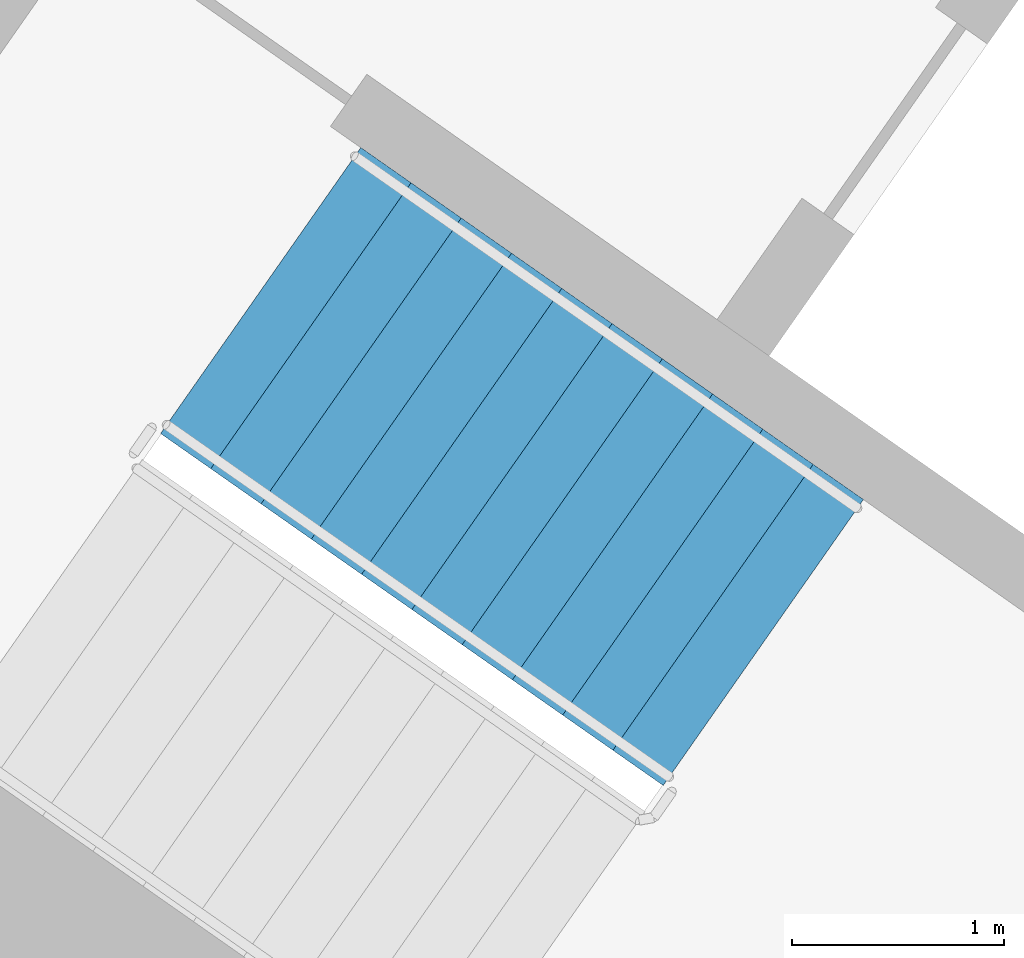
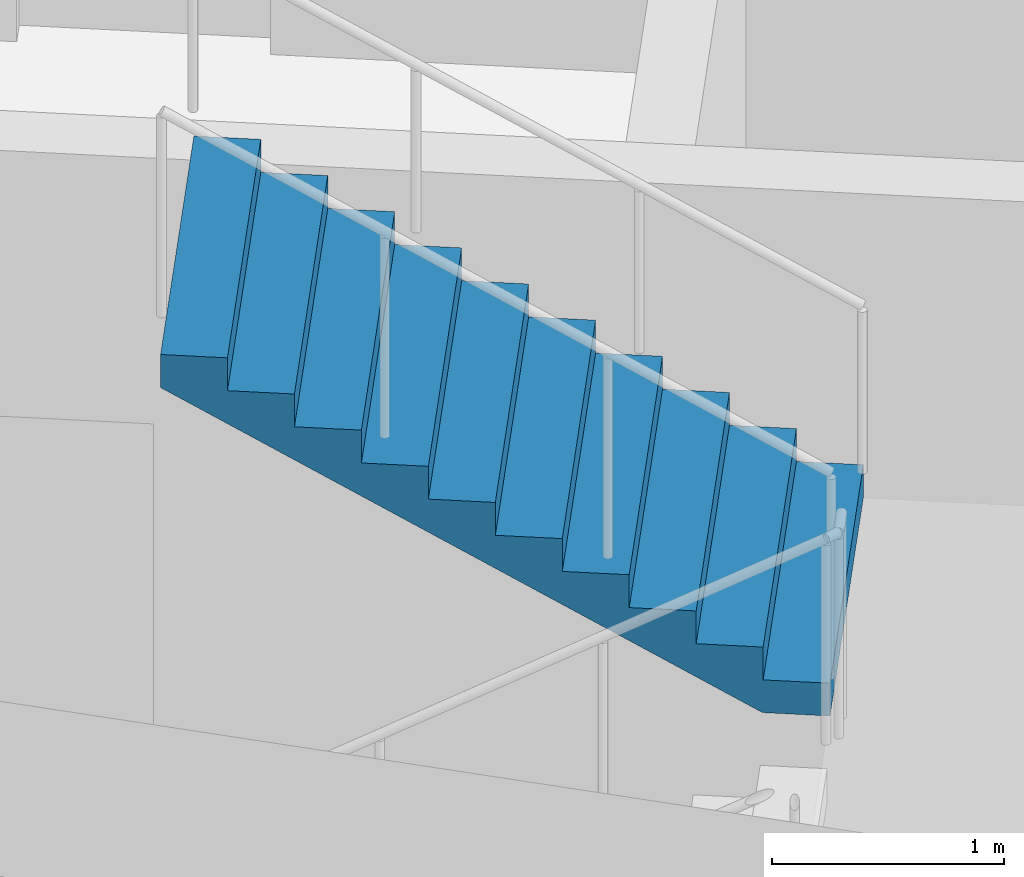
# One storey, part 11 of 29: 1 stair flight, 1 element without a shape of its own.
"""IFC4 building model written with IfcOpenShell, lengths in metres."""

from ifc_helpers import new_model, si_unit, direction, frame, origin, place, context, subcontext, project, spatial, faceted_brep, material, type_object, element, aggregate, save


model = new_model("IFC4")

# Units and contexts
model_context = context("Model", 3, precision=1e-05, world=origin(), true_north=direction((0.0, 1.0)))
body_context = subcontext(model_context, "Body", "Model", "MODEL_VIEW")
ifc_project = project(units=[si_unit("LENGTHUNIT", "METRE"), si_unit("AREAUNIT", "SQUARE_METRE"), si_unit("VOLUMEUNIT", "CUBIC_METRE"), si_unit("PLANEANGLEUNIT", "RADIAN"), si_unit("MASSUNIT", "GRAM", prefix="KILO")], contexts=[model_context])

# Site, building, storey
site_placement = place(None, origin())
site = spatial("IfcSite", under=ifc_project, at=site_placement, CompositionType="ELEMENT")
building_placement = place(site_placement, origin())
building = spatial("IfcBuilding", under=site, at=building_placement, Name="Qamariyya Broadcast Tower", CompositionType="ELEMENT")
storey_placement = place(building_placement, frame((0.0, 0.0, 44.300048828125)))
storey = spatial("IfcBuildingStorey", under=building, at=storey_placement, Name="L07", CompositionType="ELEMENT", Elevation=44.300048828125)

# Stair, stair flight
ifc_material = material(Name="Concrete C50/60", Category="concrete")
stair_type = type_object("IfcStairType", Name="Exit stair 22 risers of 173 mm", PredefinedType="HALF_TURN_STAIR", material=ifc_material)
stair_placement = place(storey_placement, origin())
stair = element("IfcStair", 1, at=stair_placement, inside=storey, type_object=stair_type, Name="L07 Stair W1", PredefinedType="HALF_TURN_STAIR")
stair_flight_type = type_object("IfcStairFlightType", Name="Exit stair flight 11 risers of 173 mm", PredefinedType="STRAIGHT", material=ifc_material)
stair_flight_placement = place(storey_placement, frame((-43.660888671875, -57.17138671875, 1.89990234375), z_axis=(0.0, 0.0, 1.0), x_axis=(-0.819152044289, 0.573576436351, 0.0)))
stair_flight = element("IfcStairFlight", 2, at=stair_flight_placement, type_object=stair_flight_type, Name="ST-W1 flight 2", NumberOfRisers=11, NumberOfTreads=10, PredefinedType="STRAIGHT", RiserHeight=0.172727273, TreadLength=0.29, context=body_context, shape_type="Brep", body=[
    faceted_brep([(0.0, 0.824951171875, 0.0), (0.0, 0.824951171875, 0.172607421875), (0.2900390625, 0.824951171875, 0.172607421875), (0.2900390625, 0.824951171875, 0.345458984375), (0.580078125, 0.824951171875, 0.345458984375), (0.580078125, 0.824951171875, 0.51806640625), (0.8701171875, 0.824951171875, 0.51806640625), (0.8701171875, 0.824951171875, 0.69091796875), (1.159912109375, 0.824951171875, 0.69091796875), (1.159912109375, 0.824951171875, 0.863525390625), (1.449951171875, 0.824951171875, 0.863525390625), (1.449951171875, 0.824951171875, 1.036376953125), (1.739990234375, 0.824951171875, 1.036376953125), (1.739990234375, 0.824951171875, 1.208984375), (2.030029296875, 0.824951171875, 1.208984375), (2.030029296875, 0.824951171875, 1.3818359375), (2.320068359375, 0.824951171875, 1.3818359375), (2.320068359375, 0.824951171875, 1.554443359375), (2.610107421875, 0.824951171875, 1.554443359375), (2.610107421875, 0.824951171875, 1.727294921875), (2.89990234375, 0.824951171875, 1.727294921875), (2.89990234375, 0.824951171875, 1.552734375), (0.29296875, 0.824951171875, 0.0), (0.29296875, -0.824951171875, 0.0), (2.89990234375, -0.824951171875, 1.552734375), (2.89990234375, -0.824951171875, 1.727294921875), (2.610107421875, -0.824951171875, 1.727294921875), (2.610107421875, -0.824951171875, 1.554443359375), (2.320068359375, -0.824951171875, 1.554443359375), (2.320068359375, -0.824951171875, 1.3818359375), (2.030029296875, -0.824951171875, 1.3818359375), (2.030029296875, -0.824951171875, 1.208984375), (1.739990234375, -0.824951171875, 1.208984375), (1.739990234375, -0.824951171875, 1.036376953125), (1.449951171875, -0.824951171875, 1.036376953125), (1.449951171875, -0.824951171875, 0.863525390625), (1.159912109375, -0.824951171875, 0.863525390625), (1.159912109375, -0.824951171875, 0.69091796875), (0.8701171875, -0.824951171875, 0.69091796875), (0.8701171875, -0.824951171875, 0.51806640625), (0.580078125, -0.824951171875, 0.51806640625), (0.580078125, -0.824951171875, 0.345458984375), (0.2900390625, -0.824951171875, 0.345458984375), (0.2900390625, -0.824951171875, 0.172607421875), (0.0, -0.824951171875, 0.172607421875), (0.0, -0.824951171875, 0.0), (0.0, 0.10009765625, 0.0), (0.0, 0.086669921875, 0.0), (0.0, 0.0732421875, 0.0), (0.0, 0.06005859375, 0.0), (0.0, 0.046630859375, 0.0), (0.0, 0.033447265625, 0.0), (0.0, 0.02001953125, 0.0), (0.0, 0.006591796875, 0.0), (0.0, -0.006591796875, 0.0), (0.0, -0.02001953125, 0.0), (0.0, -0.033447265625, 0.0), (0.0, -0.046630859375, 0.0), (0.0, -0.06005859375, 0.0), (0.0, -0.0732421875, 0.0), (0.0, -0.086669921875, 0.0), (0.0, -0.10009765625, 0.0), (0.0, -0.10009765625, 0.172607421875), (0.0, -0.086669921875, 0.172607421875), (0.0, -0.0732421875, 0.172607421875), (0.0, -0.06005859375, 0.172607421875), (0.0, -0.046630859375, 0.172607421875), (0.0, -0.033447265625, 0.172607421875), (0.0, -0.02001953125, 0.172607421875), (0.0, -0.006591796875, 0.172607421875), (0.0, 0.006591796875, 0.172607421875), (0.0, 0.02001953125, 0.172607421875), (0.0, 0.033447265625, 0.172607421875), (0.0, 0.046630859375, 0.172607421875), (0.0, 0.06005859375, 0.172607421875), (0.0, 0.0732421875, 0.172607421875), (0.0, 0.086669921875, 0.172607421875), (0.0, 0.10009765625, 0.172607421875), (0.2900390625, -0.10009765625, 0.172607421875), (0.2900390625, -0.086669921875, 0.172607421875), (0.2900390625, -0.0732421875, 0.172607421875), (0.2900390625, -0.06005859375, 0.172607421875), (0.2900390625, -0.046630859375, 0.172607421875), (0.2900390625, -0.033447265625, 0.172607421875), (0.2900390625, -0.02001953125, 0.172607421875), (0.2900390625, -0.006591796875, 0.172607421875), (0.2900390625, 0.006591796875, 0.172607421875), (0.2900390625, 0.02001953125, 0.172607421875), (0.2900390625, 0.033447265625, 0.172607421875), (0.2900390625, 0.046630859375, 0.172607421875), (0.2900390625, 0.06005859375, 0.172607421875), (0.2900390625, 0.0732421875, 0.172607421875), (0.2900390625, 0.086669921875, 0.172607421875), (0.2900390625, 0.10009765625, 0.172607421875), (0.2900390625, -0.10009765625, 0.345458984375), (0.2900390625, -0.086669921875, 0.345458984375), (0.2900390625, -0.0732421875, 0.345458984375), (0.2900390625, -0.06005859375, 0.345458984375), (0.2900390625, -0.046630859375, 0.345458984375), (0.2900390625, -0.033447265625, 0.345458984375), (0.2900390625, -0.02001953125, 0.345458984375), (0.2900390625, -0.006591796875, 0.345458984375), (0.2900390625, 0.006591796875, 0.345458984375), (0.2900390625, 0.02001953125, 0.345458984375), (0.2900390625, 0.033447265625, 0.345458984375), (0.2900390625, 0.046630859375, 0.345458984375), (0.2900390625, 0.06005859375, 0.345458984375), (0.2900390625, 0.0732421875, 0.345458984375), (0.2900390625, 0.086669921875, 0.345458984375), (0.2900390625, 0.10009765625, 0.345458984375), (0.580078125, -0.10009765625, 0.345458984375), (0.580078125, -0.086669921875, 0.345458984375), (0.580078125, -0.0732421875, 0.345458984375), (0.580078125, -0.06005859375, 0.345458984375), (0.580078125, -0.046630859375, 0.345458984375), (0.580078125, -0.033447265625, 0.345458984375), (0.580078125, -0.02001953125, 0.345458984375), (0.580078125, -0.006591796875, 0.345458984375), (0.580078125, 0.006591796875, 0.345458984375), (0.580078125, 0.02001953125, 0.345458984375), (0.580078125, 0.033447265625, 0.345458984375), (0.580078125, 0.046630859375, 0.345458984375), (0.580078125, 0.06005859375, 0.345458984375), (0.580078125, 0.0732421875, 0.345458984375), (0.580078125, 0.086669921875, 0.345458984375), (0.580078125, 0.10009765625, 0.345458984375), (0.580078125, -0.10009765625, 0.51806640625), (0.580078125, -0.086669921875, 0.51806640625), (0.580078125, -0.0732421875, 0.51806640625), (0.580078125, -0.06005859375, 0.51806640625), (0.580078125, -0.046630859375, 0.51806640625), (0.580078125, -0.033447265625, 0.51806640625), (0.580078125, -0.02001953125, 0.51806640625), (0.580078125, -0.006591796875, 0.51806640625), (0.580078125, 0.006591796875, 0.51806640625), (0.580078125, 0.02001953125, 0.51806640625), (0.580078125, 0.033447265625, 0.51806640625), (0.580078125, 0.046630859375, 0.51806640625), (0.580078125, 0.06005859375, 0.51806640625), (0.580078125, 0.0732421875, 0.51806640625), (0.580078125, 0.086669921875, 0.51806640625), (0.580078125, 0.10009765625, 0.51806640625), (0.8701171875, -0.10009765625, 0.51806640625), (0.8701171875, -0.086669921875, 0.51806640625), (0.8701171875, -0.0732421875, 0.51806640625), (0.8701171875, -0.06005859375, 0.51806640625), (0.8701171875, -0.046630859375, 0.51806640625), (0.8701171875, -0.033447265625, 0.51806640625), (0.8701171875, -0.02001953125, 0.51806640625), (0.8701171875, -0.006591796875, 0.51806640625), (0.8701171875, 0.006591796875, 0.51806640625), (0.8701171875, 0.02001953125, 0.51806640625), (0.8701171875, 0.033447265625, 0.51806640625), (0.8701171875, 0.046630859375, 0.51806640625), (0.8701171875, 0.06005859375, 0.51806640625), (0.8701171875, 0.0732421875, 0.51806640625), (0.8701171875, 0.086669921875, 0.51806640625), (0.8701171875, 0.10009765625, 0.51806640625), (0.8701171875, -0.10009765625, 0.69091796875), (0.8701171875, -0.086669921875, 0.69091796875), (0.8701171875, -0.0732421875, 0.69091796875), (0.8701171875, -0.06005859375, 0.69091796875), (0.8701171875, -0.046630859375, 0.69091796875), (0.8701171875, -0.033447265625, 0.69091796875), (0.8701171875, -0.02001953125, 0.69091796875), (0.8701171875, -0.006591796875, 0.69091796875), (0.8701171875, 0.006591796875, 0.69091796875), (0.8701171875, 0.02001953125, 0.69091796875), (0.8701171875, 0.033447265625, 0.69091796875), (0.8701171875, 0.046630859375, 0.69091796875), (0.8701171875, 0.06005859375, 0.69091796875), (0.8701171875, 0.0732421875, 0.69091796875), (0.8701171875, 0.086669921875, 0.69091796875), (0.8701171875, 0.10009765625, 0.69091796875), (1.159912109375, -0.10009765625, 0.69091796875), (1.159912109375, -0.086669921875, 0.69091796875), (1.159912109375, -0.0732421875, 0.69091796875), (1.159912109375, -0.06005859375, 0.69091796875), (1.159912109375, -0.046630859375, 0.69091796875), (1.159912109375, -0.033447265625, 0.69091796875), (1.159912109375, -0.02001953125, 0.69091796875), (1.159912109375, -0.006591796875, 0.69091796875), (1.159912109375, 0.006591796875, 0.69091796875), (1.159912109375, 0.02001953125, 0.69091796875), (1.159912109375, 0.033447265625, 0.69091796875), (1.159912109375, 0.046630859375, 0.69091796875), (1.159912109375, 0.06005859375, 0.69091796875), (1.159912109375, 0.0732421875, 0.69091796875), (1.159912109375, 0.086669921875, 0.69091796875), (1.159912109375, 0.10009765625, 0.69091796875), (1.159912109375, -0.10009765625, 0.863525390625), (1.159912109375, -0.086669921875, 0.863525390625), (1.159912109375, -0.0732421875, 0.863525390625), (1.159912109375, -0.06005859375, 0.863525390625), (1.159912109375, -0.046630859375, 0.863525390625), (1.159912109375, -0.033447265625, 0.863525390625), (1.159912109375, -0.02001953125, 0.863525390625), (1.159912109375, -0.006591796875, 0.863525390625), (1.159912109375, 0.006591796875, 0.863525390625), (1.159912109375, 0.02001953125, 0.863525390625), (1.159912109375, 0.033447265625, 0.863525390625), (1.159912109375, 0.046630859375, 0.863525390625), (1.159912109375, 0.06005859375, 0.863525390625), (1.159912109375, 0.0732421875, 0.863525390625), (1.159912109375, 0.086669921875, 0.863525390625), (1.159912109375, 0.10009765625, 0.863525390625), (1.449951171875, -0.10009765625, 0.863525390625), (1.449951171875, -0.086669921875, 0.863525390625), (1.449951171875, -0.0732421875, 0.863525390625), (1.449951171875, -0.06005859375, 0.863525390625), (1.449951171875, -0.046630859375, 0.863525390625), (1.449951171875, -0.033447265625, 0.863525390625), (1.449951171875, -0.02001953125, 0.863525390625), (1.449951171875, -0.006591796875, 0.863525390625), (1.449951171875, 0.006591796875, 0.863525390625), (1.449951171875, 0.02001953125, 0.863525390625), (1.449951171875, 0.033447265625, 0.863525390625), (1.449951171875, 0.046630859375, 0.863525390625), (1.449951171875, 0.06005859375, 0.863525390625), (1.449951171875, 0.0732421875, 0.863525390625), (1.449951171875, 0.086669921875, 0.863525390625), (1.449951171875, 0.10009765625, 0.863525390625), (1.449951171875, -0.10009765625, 1.036376953125), (1.449951171875, -0.086669921875, 1.036376953125), (1.449951171875, -0.0732421875, 1.036376953125), (1.449951171875, -0.06005859375, 1.036376953125), (1.449951171875, -0.046630859375, 1.036376953125), (1.449951171875, -0.033447265625, 1.036376953125), (1.449951171875, -0.02001953125, 1.036376953125), (1.449951171875, -0.006591796875, 1.036376953125), (1.449951171875, 0.006591796875, 1.036376953125), (1.449951171875, 0.02001953125, 1.036376953125), (1.449951171875, 0.033447265625, 1.036376953125), (1.449951171875, 0.046630859375, 1.036376953125), (1.449951171875, 0.06005859375, 1.036376953125), (1.449951171875, 0.0732421875, 1.036376953125), (1.449951171875, 0.086669921875, 1.036376953125), (1.449951171875, 0.10009765625, 1.036376953125), (1.739990234375, -0.10009765625, 1.036376953125), (1.739990234375, -0.086669921875, 1.036376953125), (1.739990234375, -0.0732421875, 1.036376953125), (1.739990234375, -0.06005859375, 1.036376953125), (1.739990234375, -0.046630859375, 1.036376953125), (1.739990234375, -0.033447265625, 1.036376953125), (1.739990234375, -0.02001953125, 1.036376953125), (1.739990234375, -0.006591796875, 1.036376953125), (1.739990234375, 0.006591796875, 1.036376953125), (1.739990234375, 0.02001953125, 1.036376953125), (1.739990234375, 0.033447265625, 1.036376953125), (1.739990234375, 0.046630859375, 1.036376953125), (1.739990234375, 0.06005859375, 1.036376953125), (1.739990234375, 0.0732421875, 1.036376953125), (1.739990234375, 0.086669921875, 1.036376953125), (1.739990234375, 0.10009765625, 1.036376953125), (1.739990234375, -0.10009765625, 1.208984375), (1.739990234375, -0.086669921875, 1.208984375), (1.739990234375, -0.0732421875, 1.208984375), (1.739990234375, -0.06005859375, 1.208984375), (1.739990234375, -0.046630859375, 1.208984375), (1.739990234375, -0.033447265625, 1.208984375), (1.739990234375, -0.02001953125, 1.208984375), (1.739990234375, -0.006591796875, 1.208984375), (1.739990234375, 0.006591796875, 1.208984375), (1.739990234375, 0.02001953125, 1.208984375), (1.739990234375, 0.033447265625, 1.208984375), (1.739990234375, 0.046630859375, 1.208984375), (1.739990234375, 0.06005859375, 1.208984375), (1.739990234375, 0.0732421875, 1.208984375), (1.739990234375, 0.086669921875, 1.208984375), (1.739990234375, 0.10009765625, 1.208984375), (2.030029296875, -0.10009765625, 1.208984375), (2.030029296875, -0.086669921875, 1.208984375), (2.030029296875, -0.0732421875, 1.208984375), (2.030029296875, -0.06005859375, 1.208984375), (2.030029296875, -0.046630859375, 1.208984375), (2.030029296875, -0.033447265625, 1.208984375), (2.030029296875, -0.02001953125, 1.208984375), (2.030029296875, -0.006591796875, 1.208984375), (2.030029296875, 0.006591796875, 1.208984375), (2.030029296875, 0.02001953125, 1.208984375), (2.030029296875, 0.033447265625, 1.208984375), (2.030029296875, 0.046630859375, 1.208984375), (2.030029296875, 0.06005859375, 1.208984375), (2.030029296875, 0.0732421875, 1.208984375), (2.030029296875, 0.086669921875, 1.208984375), (2.030029296875, 0.10009765625, 1.208984375), (2.030029296875, -0.10009765625, 1.3818359375), (2.030029296875, -0.086669921875, 1.3818359375), (2.030029296875, -0.0732421875, 1.3818359375), (2.030029296875, -0.06005859375, 1.3818359375), (2.030029296875, -0.046630859375, 1.3818359375), (2.030029296875, -0.033447265625, 1.3818359375), (2.030029296875, -0.02001953125, 1.3818359375), (2.030029296875, -0.006591796875, 1.3818359375), (2.030029296875, 0.006591796875, 1.3818359375), (2.030029296875, 0.02001953125, 1.3818359375), (2.030029296875, 0.033447265625, 1.3818359375), (2.030029296875, 0.046630859375, 1.3818359375), (2.030029296875, 0.06005859375, 1.3818359375), (2.030029296875, 0.0732421875, 1.3818359375), (2.030029296875, 0.086669921875, 1.3818359375), (2.030029296875, 0.10009765625, 1.3818359375), (2.320068359375, -0.10009765625, 1.3818359375), (2.320068359375, -0.086669921875, 1.3818359375), (2.320068359375, -0.0732421875, 1.3818359375), (2.320068359375, -0.06005859375, 1.3818359375), (2.320068359375, -0.046630859375, 1.3818359375), (2.320068359375, -0.033447265625, 1.3818359375), (2.320068359375, -0.02001953125, 1.3818359375), (2.320068359375, -0.006591796875, 1.3818359375), (2.320068359375, 0.006591796875, 1.3818359375), (2.320068359375, 0.02001953125, 1.3818359375), (2.320068359375, 0.033447265625, 1.3818359375), (2.320068359375, 0.046630859375, 1.3818359375), (2.320068359375, 0.06005859375, 1.3818359375), (2.320068359375, 0.0732421875, 1.3818359375), (2.320068359375, 0.086669921875, 1.3818359375), (2.320068359375, 0.10009765625, 1.3818359375), (2.320068359375, -0.10009765625, 1.554443359375), (2.320068359375, -0.086669921875, 1.554443359375), (2.320068359375, -0.0732421875, 1.554443359375), (2.320068359375, -0.06005859375, 1.554443359375), (2.320068359375, -0.046630859375, 1.554443359375), (2.320068359375, -0.033447265625, 1.554443359375), (2.320068359375, -0.02001953125, 1.554443359375), (2.320068359375, -0.006591796875, 1.554443359375), (2.320068359375, 0.006591796875, 1.554443359375), (2.320068359375, 0.02001953125, 1.554443359375), (2.320068359375, 0.033447265625, 1.554443359375), (2.320068359375, 0.046630859375, 1.554443359375), (2.320068359375, 0.06005859375, 1.554443359375), (2.320068359375, 0.0732421875, 1.554443359375), (2.320068359375, 0.086669921875, 1.554443359375), (2.320068359375, 0.10009765625, 1.554443359375), (2.610107421875, -0.10009765625, 1.554443359375), (2.610107421875, -0.086669921875, 1.554443359375), (2.610107421875, -0.0732421875, 1.554443359375), (2.610107421875, -0.06005859375, 1.554443359375), (2.610107421875, -0.046630859375, 1.554443359375), (2.610107421875, -0.033447265625, 1.554443359375), (2.610107421875, -0.02001953125, 1.554443359375), (2.610107421875, -0.006591796875, 1.554443359375), (2.610107421875, 0.006591796875, 1.554443359375), (2.610107421875, 0.02001953125, 1.554443359375), (2.610107421875, 0.033447265625, 1.554443359375), (2.610107421875, 0.046630859375, 1.554443359375), (2.610107421875, 0.06005859375, 1.554443359375), (2.610107421875, 0.0732421875, 1.554443359375), (2.610107421875, 0.086669921875, 1.554443359375), (2.610107421875, 0.10009765625, 1.554443359375), (2.610107421875, -0.10009765625, 1.727294921875), (2.610107421875, -0.086669921875, 1.727294921875), (2.610107421875, -0.0732421875, 1.727294921875), (2.610107421875, -0.06005859375, 1.727294921875), (2.610107421875, -0.046630859375, 1.727294921875), (2.610107421875, -0.033447265625, 1.727294921875), (2.610107421875, -0.02001953125, 1.727294921875), (2.610107421875, -0.006591796875, 1.727294921875), (2.610107421875, 0.006591796875, 1.727294921875), (2.610107421875, 0.02001953125, 1.727294921875), (2.610107421875, 0.033447265625, 1.727294921875), (2.610107421875, 0.046630859375, 1.727294921875), (2.610107421875, 0.06005859375, 1.727294921875), (2.610107421875, 0.0732421875, 1.727294921875), (2.610107421875, 0.086669921875, 1.727294921875), (2.610107421875, 0.10009765625, 1.727294921875), (2.89990234375, -0.10009765625, 1.727294921875), (2.89990234375, -0.086669921875, 1.727294921875), (2.89990234375, -0.0732421875, 1.727294921875), (2.89990234375, -0.06005859375, 1.727294921875), (2.89990234375, -0.046630859375, 1.727294921875), (2.89990234375, -0.033447265625, 1.727294921875), (2.89990234375, -0.02001953125, 1.727294921875), (2.89990234375, -0.006591796875, 1.727294921875), (2.89990234375, 0.006591796875, 1.727294921875), (2.89990234375, 0.02001953125, 1.727294921875), (2.89990234375, 0.033447265625, 1.727294921875), (2.89990234375, 0.046630859375, 1.727294921875), (2.89990234375, 0.06005859375, 1.727294921875), (2.89990234375, 0.0732421875, 1.727294921875), (2.89990234375, 0.086669921875, 1.727294921875), (2.89990234375, 0.10009765625, 1.727294921875), (2.89990234375, -0.10009765625, 1.552734375), (2.89990234375, -0.086669921875, 1.552734375), (2.89990234375, -0.0732421875, 1.552734375), (2.89990234375, -0.06005859375, 1.552734375), (2.89990234375, -0.046630859375, 1.552734375), (2.89990234375, -0.033447265625, 1.552734375), (2.89990234375, -0.02001953125, 1.552734375), (2.89990234375, -0.006591796875, 1.552734375), (2.89990234375, 0.006591796875, 1.552734375), (2.89990234375, 0.02001953125, 1.552734375), (2.89990234375, 0.033447265625, 1.552734375), (2.89990234375, 0.046630859375, 1.552734375), (2.89990234375, 0.06005859375, 1.552734375), (2.89990234375, 0.0732421875, 1.552734375), (2.89990234375, 0.086669921875, 1.552734375), (2.89990234375, 0.10009765625, 1.552734375), (0.29296875, -0.10009765625, 0.0), (0.29296875, -0.086669921875, 0.0), (0.29296875, -0.0732421875, 0.0), (0.29296875, -0.06005859375, 0.0), (0.29296875, -0.046630859375, 0.0), (0.29296875, -0.033447265625, 0.0), (0.29296875, -0.02001953125, 0.0), (0.29296875, -0.006591796875, 0.0), (0.29296875, 0.006591796875, 0.0), (0.29296875, 0.02001953125, 0.0), (0.29296875, 0.033447265625, 0.0), (0.29296875, 0.046630859375, 0.0), (0.29296875, 0.06005859375, 0.0), (0.29296875, 0.0732421875, 0.0), (0.29296875, 0.086669921875, 0.0), (0.29296875, 0.10009765625, 0.0)], [[[0, 1, 2, 3, 4, 5, 6, 7, 8, 9, 10, 11, 12, 13, 14, 15, 16, 17, 18, 19, 20, 21, 22]], [[23, 24, 25, 26, 27, 28, 29, 30, 31, 32, 33, 34, 35, 36, 37, 38, 39, 40, 41, 42, 43, 44, 45]], [[0, 46, 47, 48, 49, 50, 51, 52, 53, 54, 55, 56, 57, 58, 59, 60, 61, 45, 44, 62, 63, 64, 65, 66, 67, 68, 69, 70, 71, 72, 73, 74, 75, 76, 77, 1]], [[1, 77, 76, 75, 74, 73, 72, 71, 70, 69, 68, 67, 66, 65, 64, 63, 62, 44, 43, 78, 79, 80, 81, 82, 83, 84, 85, 86, 87, 88, 89, 90, 91, 92, 93, 2]], [[2, 93, 92, 91, 90, 89, 88, 87, 86, 85, 84, 83, 82, 81, 80, 79, 78, 43, 42, 94, 95, 96, 97, 98, 99, 100, 101, 102, 103, 104, 105, 106, 107, 108, 109, 3]], [[3, 109, 108, 107, 106, 105, 104, 103, 102, 101, 100, 99, 98, 97, 96, 95, 94, 42, 41, 110, 111, 112, 113, 114, 115, 116, 117, 118, 119, 120, 121, 122, 123, 124, 125, 4]], [[4, 125, 124, 123, 122, 121, 120, 119, 118, 117, 116, 115, 114, 113, 112, 111, 110, 41, 40, 126, 127, 128, 129, 130, 131, 132, 133, 134, 135, 136, 137, 138, 139, 140, 141, 5]], [[5, 141, 140, 139, 138, 137, 136, 135, 134, 133, 132, 131, 130, 129, 128, 127, 126, 40, 39, 142, 143, 144, 145, 146, 147, 148, 149, 150, 151, 152, 153, 154, 155, 156, 157, 6]], [[6, 157, 156, 155, 154, 153, 152, 151, 150, 149, 148, 147, 146, 145, 144, 143, 142, 39, 38, 158, 159, 160, 161, 162, 163, 164, 165, 166, 167, 168, 169, 170, 171, 172, 173, 7]], [[7, 173, 172, 171, 170, 169, 168, 167, 166, 165, 164, 163, 162, 161, 160, 159, 158, 38, 37, 174, 175, 176, 177, 178, 179, 180, 181, 182, 183, 184, 185, 186, 187, 188, 189, 8]], [[8, 189, 188, 187, 186, 185, 184, 183, 182, 181, 180, 179, 178, 177, 176, 175, 174, 37, 36, 190, 191, 192, 193, 194, 195, 196, 197, 198, 199, 200, 201, 202, 203, 204, 205, 9]], [[9, 205, 204, 203, 202, 201, 200, 199, 198, 197, 196, 195, 194, 193, 192, 191, 190, 36, 35, 206, 207, 208, 209, 210, 211, 212, 213, 214, 215, 216, 217, 218, 219, 220, 221, 10]], [[10, 221, 220, 219, 218, 217, 216, 215, 214, 213, 212, 211, 210, 209, 208, 207, 206, 35, 34, 222, 223, 224, 225, 226, 227, 228, 229, 230, 231, 232, 233, 234, 235, 236, 237, 11]], [[11, 237, 236, 235, 234, 233, 232, 231, 230, 229, 228, 227, 226, 225, 224, 223, 222, 34, 33, 238, 239, 240, 241, 242, 243, 244, 245, 246, 247, 248, 249, 250, 251, 252, 253, 12]], [[12, 253, 252, 251, 250, 249, 248, 247, 246, 245, 244, 243, 242, 241, 240, 239, 238, 33, 32, 254, 255, 256, 257, 258, 259, 260, 261, 262, 263, 264, 265, 266, 267, 268, 269, 13]], [[13, 269, 268, 267, 266, 265, 264, 263, 262, 261, 260, 259, 258, 257, 256, 255, 254, 32, 31, 270, 271, 272, 273, 274, 275, 276, 277, 278, 279, 280, 281, 282, 283, 284, 285, 14]], [[14, 285, 284, 283, 282, 281, 280, 279, 278, 277, 276, 275, 274, 273, 272, 271, 270, 31, 30, 286, 287, 288, 289, 290, 291, 292, 293, 294, 295, 296, 297, 298, 299, 300, 301, 15]], [[15, 301, 300, 299, 298, 297, 296, 295, 294, 293, 292, 291, 290, 289, 288, 287, 286, 30, 29, 302, 303, 304, 305, 306, 307, 308, 309, 310, 311, 312, 313, 314, 315, 316, 317, 16]], [[16, 317, 316, 315, 314, 313, 312, 311, 310, 309, 308, 307, 306, 305, 304, 303, 302, 29, 28, 318, 319, 320, 321, 322, 323, 324, 325, 326, 327, 328, 329, 330, 331, 332, 333, 17]], [[17, 333, 332, 331, 330, 329, 328, 327, 326, 325, 324, 323, 322, 321, 320, 319, 318, 28, 27, 334, 335, 336, 337, 338, 339, 340, 341, 342, 343, 344, 345, 346, 347, 348, 349, 18]], [[18, 349, 348, 347, 346, 345, 344, 343, 342, 341, 340, 339, 338, 337, 336, 335, 334, 27, 26, 350, 351, 352, 353, 354, 355, 356, 357, 358, 359, 360, 361, 362, 363, 364, 365, 19]], [[19, 365, 364, 363, 362, 361, 360, 359, 358, 357, 356, 355, 354, 353, 352, 351, 350, 26, 25, 366, 367, 368, 369, 370, 371, 372, 373, 374, 375, 376, 377, 378, 379, 380, 381, 20]], [[20, 381, 380, 379, 378, 377, 376, 375, 374, 373, 372, 371, 370, 369, 368, 367, 366, 25, 24, 382, 383, 384, 385, 386, 387, 388, 389, 390, 391, 392, 393, 394, 395, 396, 397, 21]], [[21, 397, 396, 395, 394, 393, 392, 391, 390, 389, 388, 387, 386, 385, 384, 383, 382, 24, 23, 398, 399, 400, 401, 402, 403, 404, 405, 406, 407, 408, 409, 410, 411, 412, 413, 22]], [[22, 413, 412, 411, 410, 409, 408, 407, 406, 405, 404, 403, 402, 401, 400, 399, 398, 23, 45, 61, 60, 59, 58, 57, 56, 55, 54, 53, 52, 51, 50, 49, 48, 47, 46, 0]]]),
])
aggregate(stair, [stair_flight])

save(model, "model.ifc")
